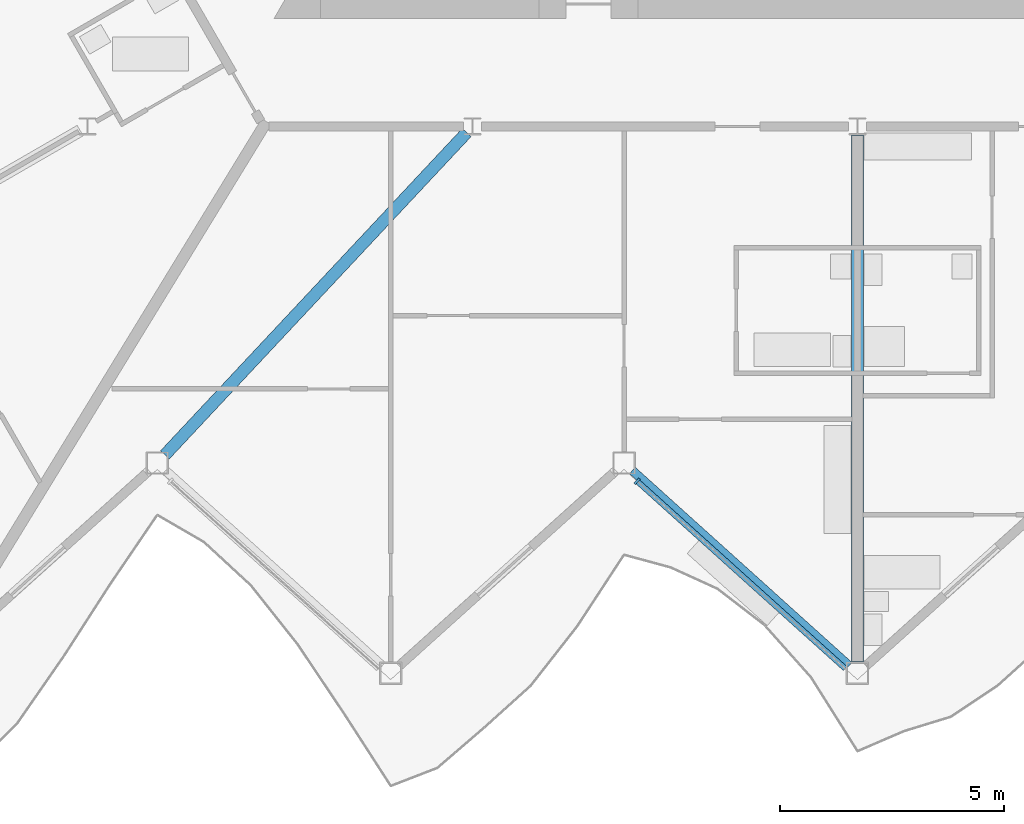
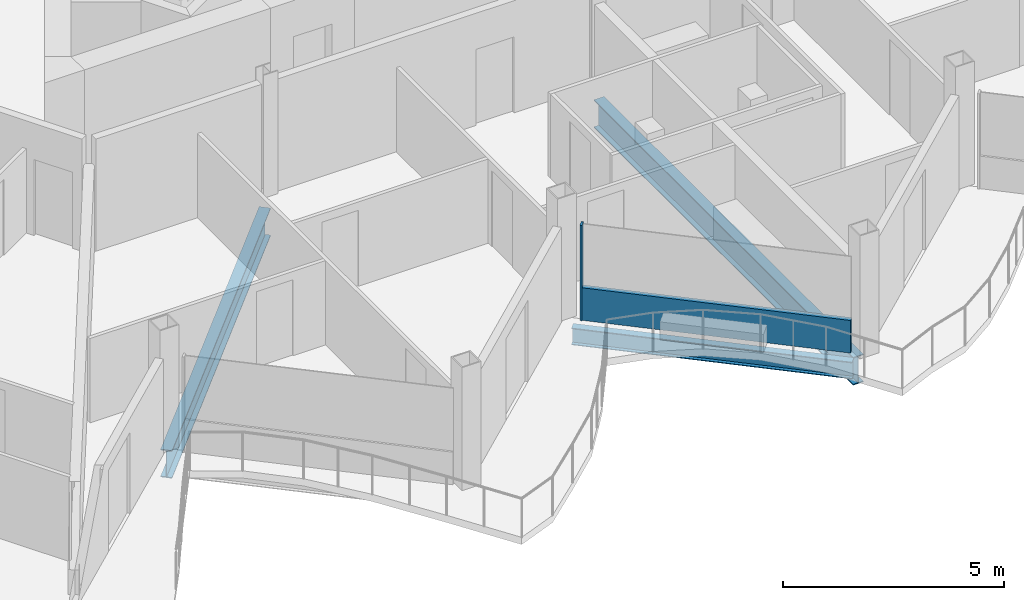
# One storey, part 5 of 26: 3 beams, 2 members, 1 element without a shape of its own.
"""IFC4 building model written with IfcOpenShell, lengths in metres."""

import ifcopenshell
import ifcopenshell.guid

model = None  # the IFC model being written
_history = None  # IfcOwnerHistory: only IFC2X3 demands one
_inside = {}  # id of a spatial element -> (the spatial element, [elements in it])
_under = {}  # id of a project, library or spatial element -> (it, [spatial elements below it])
_declared = {}  # id of a project -> (the project, [libraries it declares])
_typed = {}  # id of a type object -> (the type object, [elements of that type])
_made_of = {}  # id of a material, layer set ... -> (it, [elements and type objects made of it])


def new_model(schema):
    """Start an empty IFC model of exactly this schema.

    Asked for "IFC4X3", IfcOpenShell would pick the latest addendum, in which some entities
    have other attributes; the version numbers below select the first issue.
    IFC2X3 requires an IfcOwnerHistory on every rooted entity: one is made here for all.
    """
    global model, _history
    if schema == "IFC4X3":
        model = ifcopenshell.file(schema_version=(4, 3, 0, 0))
    else:
        model = ifcopenshell.file(schema=schema)
    _inside.clear()
    _under.clear()
    _declared.clear()
    _typed.clear()
    _made_of.clear()
    _history = None
    if model.schema == "IFC2X3":
        org = make("IfcOrganization", Name="unknown")
        user = make(
            "IfcPersonAndOrganization",
            ThePerson=make("IfcPerson", FamilyName="unknown"),
            TheOrganization=org,
        )
        app = make(
            "IfcApplication",
            ApplicationDeveloper=org,
            Version="unknown",
            ApplicationFullName="unknown",
            ApplicationIdentifier="unknown",
        )
        _history = make(
            "IfcOwnerHistory",
            OwningUser=user,
            OwningApplication=app,
            ChangeAction="ADDED",
            CreationDate=0,
        )
    return model


def make(cls, **values):
    """One entity of the class cls with the attributes given. An attribute that is None is left unset."""
    return model.create_entity(
        cls, **{name: value for name, value in values.items() if value is not None}
    )


def rooted(cls, **values):
    """An entity with a GlobalId (a new one), such as an element, a storey or a relation."""
    return make(cls, GlobalId=ifcopenshell.guid.new(), OwnerHistory=_history, **values)


def si_unit(unit_type, name, prefix=None):
    """IfcSIUnit, for example si_unit("LENGTHUNIT", "METRE", prefix="MILLI")."""
    return make("IfcSIUnit", UnitType=unit_type, Prefix=prefix, Name=name)


def assignment(units):
    """IfcUnitAssignment: the units of a project."""
    return None if units is None else make("IfcUnitAssignment", Units=units)


def point(xyz):
    """IfcCartesianPoint."""
    return None if xyz is None else make("IfcCartesianPoint", Coordinates=xyz)


def direction(xyz):
    """IfcDirection."""
    return None if xyz is None else make("IfcDirection", DirectionRatios=xyz)


def frame(location, z_axis=None, x_axis=None):
    """IfcAxis2Placement3D, a coordinate frame: its origin and axes. An axis left out is left unset."""
    return make(
        "IfcAxis2Placement3D",
        Location=point(location),
        Axis=direction(z_axis),
        RefDirection=direction(x_axis),
    )


def frame_2d(location, x_axis=None):
    """IfcAxis2Placement2D, a coordinate frame in the plane: its origin and x axis."""
    return make(
        "IfcAxis2Placement2D", Location=point(location), RefDirection=direction(x_axis)
    )


def origin():
    """The frame at (0, 0, 0) with its axes left unset."""
    return frame((0.0, 0.0, 0.0))


def origin_2d():
    """The frame at (0, 0) in the plane with its x axis left unset."""
    return frame_2d((0.0, 0.0))


def place(relative_to, where):
    """IfcLocalPlacement: puts the frame where relative to a parent placement (None: the world)."""
    return make(
        "IfcLocalPlacement", PlacementRelTo=relative_to, RelativePlacement=where
    )


def context(
    kind, dimensions, precision=None, world=None, true_north=None, identifier=None
):
    """IfcGeometricRepresentationContext, for example the 3D "Model" context."""
    return make(
        "IfcGeometricRepresentationContext",
        ContextIdentifier=identifier,
        ContextType=kind,
        CoordinateSpaceDimension=dimensions,
        Precision=precision,
        WorldCoordinateSystem=world,
        TrueNorth=true_north,
    )


def subcontext(parent, identifier, kind, view, scale=None):
    """IfcGeometricRepresentationSubContext, for example "Body" below "Model"."""
    return make(
        "IfcGeometricRepresentationSubContext",
        ContextIdentifier=identifier,
        ContextType=kind,
        ParentContext=parent,
        TargetScale=scale,
        TargetView=view,
    )


def project(units=None, contexts=None):
    """IfcProject with its units and contexts."""
    return rooted(
        "IfcProject",
        Name="project",
        RepresentationContexts=contexts,
        UnitsInContext=assignment(units),
    )


def spatial(cls, under=None, at=None, **own):
    """A site, building, storey or space (cls), placed at a placement, below another one or the project."""
    s = rooted(cls, ObjectPlacement=at, **own)
    if under is not None:
        _under.setdefault(under.id(), (under, []))[1].append(s)
    return s


def profile(cls, at=None, kind="AREA", **sizes):
    """A parametric profile (cls). Its sizes go by their IFC names, for example OverallWidth=200.0."""
    return make(cls, ProfileType=kind, Position=at, **sizes)


def rectangle(**sizes):
    """IfcRectangleProfileDef."""
    return profile("IfcRectangleProfileDef", **sizes)


def i_section(**sizes):
    """IfcIShapeProfileDef."""
    return profile("IfcIShapeProfileDef", **sizes)


def extrude(swept, where, along, depth):
    """IfcExtrudedAreaSolid: the profile swept, set in the frame where, extruded along a direction by depth."""
    return make(
        "IfcExtrudedAreaSolid",
        SweptArea=swept,
        Position=where,
        ExtrudedDirection=direction(along),
        Depth=depth,
    )


def shape(context_of_items, identifier, shape_type, items):
    """IfcShapeRepresentation: the items that make up one representation, for example the "Body"."""
    return make(
        "IfcShapeRepresentation",
        ContextOfItems=context_of_items,
        RepresentationIdentifier=identifier,
        RepresentationType=shape_type,
        Items=items,
    )


def material(Name=None, Category=None):
    """IfcMaterial."""
    return make("IfcMaterial", Name=Name, Category=Category)


def layer(
    of_material, thickness, ventilated=None, Name=None, Category=None, Priority=None
):
    """IfcMaterialLayer: one layer of a wall or slab, of a material (None: an air gap)."""
    return make(
        "IfcMaterialLayer",
        Material=of_material,
        LayerThickness=thickness,
        IsVentilated=ventilated,
        Name=Name,
        Category=Category,
        Priority=Priority,
    )


def layer_set(layers, Name=None):
    """IfcMaterialLayerSet."""
    return make("IfcMaterialLayerSet", MaterialLayers=layers, LayerSetName=Name)


def material_profile(
    of_material, cross_section, Name=None, Category=None, Priority=None
):
    """IfcMaterialProfile: a cross section and its material."""
    return make(
        "IfcMaterialProfile",
        Name=Name,
        Material=of_material,
        Profile=cross_section,
        Priority=Priority,
        Category=Category,
    )


def profile_set(profiles, Name=None, composite=None):
    """IfcMaterialProfileSet."""
    return make(
        "IfcMaterialProfileSet",
        Name=Name,
        MaterialProfiles=profiles,
        CompositeProfile=composite,
    )


def made_of(thing, what):
    """Note that an element or type object is made of a material, layer set ...; save() writes the relation."""
    if what is not None:
        _made_of.setdefault(what.id(), (what, []))[1].append(thing)
    return thing


def type_object(cls, material=None, **own):
    """A type object (cls), such as IfcWallType, which elements share."""
    return made_of(rooted(cls, **own), material)


def element(
    cls,
    number,
    at=None,
    inside=None,
    cuts=None,
    type_object=None,
    material=None,
    context=None,
    identifier="Body",
    shape_type=None,
    held_by="IfcProductDefinitionShape",
    body=None,
    shapes=None,
    **own,
):
    """One element of the class cls, such as IfcWall. Its Tag is "e" and its number.

    at: its placement. inside: the storey or other place that contains it. cuts: it is an
    opening in that element (IfcRelVoidsElement). A single representation is given by context,
    identifier, shape_type and body (its items); several are given by shapes. held_by: the class
    of the entity that holds the representations. save() writes the other relations.
    """
    e = rooted(cls, Tag="e%d" % number, ObjectPlacement=at, **own)
    if body is not None:
        shapes = [shape(context, identifier, shape_type, body)]
    if shapes is not None:
        e.Representation = make(held_by, Representations=shapes)
    if inside is not None:
        _inside.setdefault(inside.id(), (inside, []))[1].append(e)
    if cuts is not None:
        rooted(
            "IfcRelVoidsElement", RelatingBuildingElement=cuts, RelatedOpeningElement=e
        )
    if type_object is not None:
        _typed.setdefault(type_object.id(), (type_object, []))[1].append(e)
    return made_of(e, material)


def aggregate(whole, parts):
    """IfcRelAggregates: a whole, such as a stair, and the parts it consists of."""
    return rooted("IfcRelAggregates", RelatingObject=whole, RelatedObjects=parts)


def save(model, path):
    """Write the relations noted so far, then the file.

    IfcRelAggregates (storeys below a building ...), IfcRelContainedInSpatialStructure (elements
    in a storey), IfcRelDefinesByType, IfcRelAssociatesMaterial and IfcRelDeclares: one each for
    every whole, place, type object, material and project.
    """
    for whole, parts in _under.values():
        aggregate(whole, parts)
    for where, things in _inside.values():
        rooted(
            "IfcRelContainedInSpatialStructure",
            RelatedElements=things,
            RelatingStructure=where,
        )
    for kind, things in _typed.values():
        rooted("IfcRelDefinesByType", RelatedObjects=things, RelatingType=kind)
    for what, things in _made_of.values():
        rooted("IfcRelAssociatesMaterial", RelatedObjects=things, RelatingMaterial=what)
    for by, libraries in _declared.values():
        rooted("IfcRelDeclares", RelatingContext=by, RelatedDefinitions=libraries)
    model.write(path)


model = new_model("IFC4")

# Units and contexts
model_context = context("Model", 3, precision=1e-05, world=origin(), true_north=direction((0.0, 1.0)))
body_context = subcontext(model_context, "Body", "Model", "MODEL_VIEW")
ifc_project = project(units=[si_unit("LENGTHUNIT", "METRE"), si_unit("AREAUNIT", "SQUARE_METRE"), si_unit("VOLUMEUNIT", "CUBIC_METRE"), si_unit("PLANEANGLEUNIT", "RADIAN"), si_unit("MASSUNIT", "GRAM", prefix="KILO")], contexts=[model_context])

# Site, building, storey
site_placement = place(None, origin())
site = spatial("IfcSite", under=ifc_project, at=site_placement, CompositionType="ELEMENT")
building_placement = place(site_placement, origin())
building = spatial("IfcBuilding", under=site, at=building_placement, Name="Cormorant Prow Tower", CompositionType="ELEMENT")
storey_placement = place(building_placement, frame((0.0, 0.0, 398.39990234375)))
storey = spatial("IfcBuildingStorey", under=building, at=storey_placement, Name="L91", CompositionType="ELEMENT", Elevation=398.39990234375)

# Beams
ifc_material_1 = material(Name="Structural steel ASTM A992 Gr 50", Category="steel")
ifc_material_profile_1 = material_profile(ifc_material_1, i_section(OverallWidth=0.267822265625, OverallDepth=0.77001953125, WebThickness=0.015625, FlangeThickness=0.025390625, at=origin_2d()), Name="W30x132")
ifc_profile_set_1 = profile_set([ifc_material_profile_1], Name="Structural steel ASTM A992 Gr 50")
beam_type_1 = type_object("IfcBeamType", Name="Radial floor beam W30x132", PredefinedType="BEAM", material=ifc_profile_set_1)
beam_1_placement = place(storey_placement, frame((-8.706298828125, -10.0419921875, -0.684814453125), z_axis=(-0.683430760659, -0.730015339144, 0.0), x_axis=(0.730015339144, -0.683430760659, 0.0)))
element("IfcBeam", 1, at=beam_1_placement, inside=storey, type_object=beam_type_1, Name="Radial floor beam FB3 6 L91", PredefinedType="BEAM", context=body_context, shape_type="SweptSolid", body=[
    extrude(i_section(OverallWidth=0.267822265625, OverallDepth=0.77001953125, WebThickness=0.015625, FlangeThickness=0.025390625, at=origin_2d()), origin(), (0.0, 0.0, 1.0), 9.8369140625),
])
beam_2_placement = place(storey_placement, frame((0.0, -10.092529296875, -0.684814453125), z_axis=(0.0, -1.0, 0.0), x_axis=(1.0, 0.0, 0.0)))
element("IfcBeam", 2, at=beam_2_placement, inside=storey, type_object=beam_type_1, Name="Radial floor beam FB3 7 L91", PredefinedType="BEAM", context=body_context, shape_type="SweptSolid", body=[
    extrude(i_section(OverallWidth=0.267822265625, OverallDepth=0.77001953125, WebThickness=0.015625, FlangeThickness=0.025390625, at=origin_2d()), origin(), (0.0, 0.0, 1.0), 11.745361328125),
])

# Curtain wall, members
ifc_material_2 = material(Name="Aluminium 6063-T6", Category="aluminium")
ifc_layer = layer(ifc_material_2, 0.159912109375)
ifc_layer_set = layer_set([ifc_layer], Name="Aluminium 6063-T6")
curtain_wall_type = type_object("IfcCurtainWallType", Name="Residential unitised curtain wall 160", PredefinedType="NOTDEFINED", material=ifc_layer_set)
curtain_wall_placement = place(storey_placement, origin())
curtain_wall = element("IfcCurtainWall", 3, at=curtain_wall_placement, inside=storey, type_object=curtain_wall_type, Name="Residential curtain wall S04", PredefinedType="NOTDEFINED")
ifc_material_3 = material(Name="Aluminium 6063-T6", Category="aluminium")
ifc_material_profile_2 = material_profile(ifc_material_3, rectangle(XDim=0.159912109375, YDim=0.050048828125, at=origin_2d()), Name="Residential mullion 50x160")
ifc_profile_set_2 = profile_set([ifc_material_profile_2], Name="Aluminium 6063-T6")
member_type_1 = type_object("IfcMemberType", Name="Residential mullion 50x160", PredefinedType="MULLION", material=ifc_profile_set_2)
member_1_placement = place(storey_placement, frame((-4.909423828125, -17.810546875, 0.0), z_axis=(0.0, 0.0, 1.0), x_axis=(0.669130603959, 0.743144827638, 0.0)))
member_1 = element("IfcMember", 4, at=member_1_placement, type_object=member_type_1, Name="Residential mullion S04", PredefinedType="MULLION", context=body_context, shape_type="SweptSolid", body=[
    extrude(rectangle(XDim=0.159912109375, YDim=0.050048828125, at=origin_2d()), origin(), (0.0, 0.0, 1.0), 2.634033203125),
])
ifc_material_4 = material(Name="Terracotta", Category="masonry")
ifc_material_profile_3 = material_profile(ifc_material_4, rectangle(XDim=0.1201171875, YDim=0.89990234375, at=origin_2d()), Name="Residential terracotta spandrel rail 120x900")
ifc_profile_set_3 = profile_set([ifc_material_profile_3], Name="Terracotta")
member_type_2 = type_object("IfcMemberType", Name="Residential terracotta spandrel rail 120x900", PredefinedType="USERDEFINED", material=ifc_profile_set_3)
member_2_placement = place(storey_placement, frame((-4.890869140625, -17.8271484375, 0.4501953125), z_axis=(0.743139827378, -0.669136157269, 0.0), x_axis=(0.669136157269, 0.743139827378, 0.0)))
member_2 = element("IfcMember", 5, at=member_2_placement, type_object=member_type_2, Name="Residential spandrel rail S04", ObjectType="TRANSOM", PredefinedType="USERDEFINED", context=body_context, shape_type="SweptSolid", body=[
    extrude(rectangle(XDim=0.1201171875, YDim=0.89990234375, at=origin_2d()), origin(), (0.0, 0.0, 1.0), 6.21533203125),
])
aggregate(curtain_wall, [member_1, member_2])

# Beam
ifc_material_5 = material(Name="Structural steel ASTM A992 Gr 50", Category="steel")
ifc_material_profile_4 = material_profile(ifc_material_5, i_section(OverallWidth=0.19287109375, OverallDepth=0.466064453125, WebThickness=0.011474609375, FlangeThickness=0.01904296875, at=origin_2d()), Name="W18x65")
ifc_profile_set_4 = profile_set([ifc_material_profile_4], Name="Structural steel ASTM A992 Gr 50")
beam_type_2 = type_object("IfcBeamType", Name="Spandrel beam W18x65", PredefinedType="SPANDREL", material=ifc_profile_set_4)
beam_3_placement = place(storey_placement, frame((-5.01416015625, -17.572998046875, -0.532958984375), z_axis=(0.743131573737, -0.669145323614, 0.0), x_axis=(0.669145323614, 0.743131573737, 0.0)))
element("IfcBeam", 6, at=beam_3_placement, inside=storey, type_object=beam_type_2, Name="Spandrel beam SB4 S04-S05 L91", PredefinedType="SPANDREL", context=body_context, shape_type="SweptSolid", body=[
    extrude(i_section(OverallWidth=0.19287109375, OverallDepth=0.466064453125, WebThickness=0.011474609375, FlangeThickness=0.01904296875, at=origin_2d()), origin(), (0.0, 0.0, 1.0), 6.497314453125),
])

save(model, "model.ifc")
